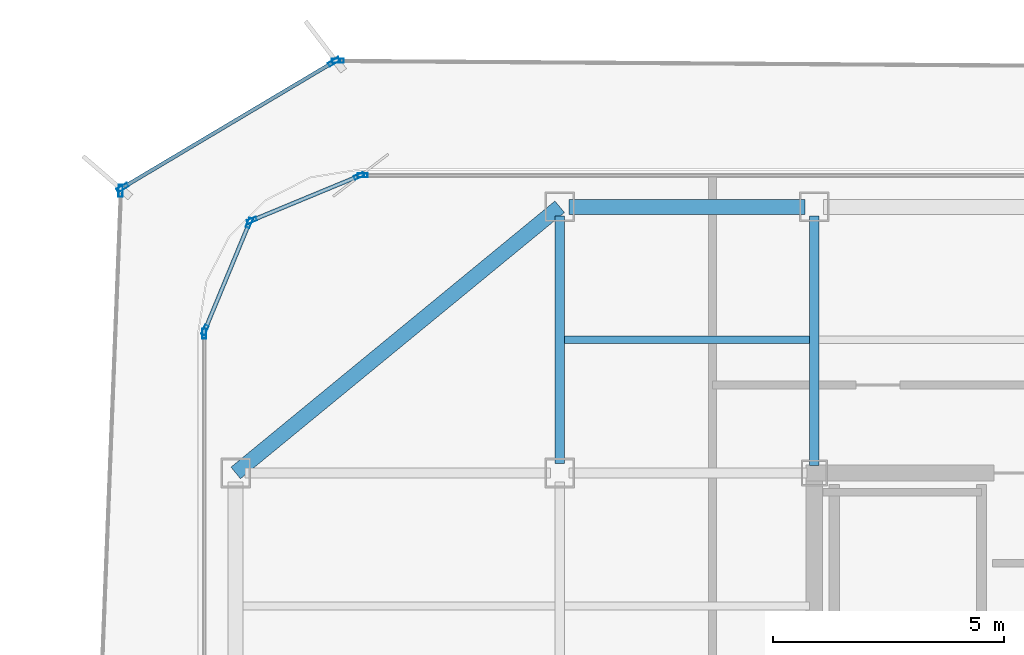
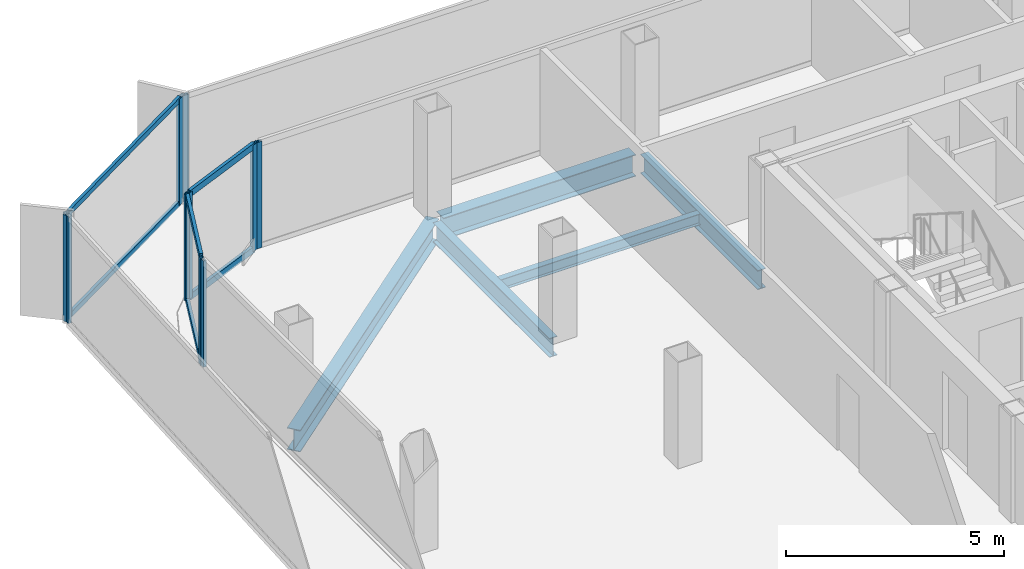
# One storey, part 6 of 15: 16 members, 5 beams, 7 elements without a shape of their own.
"""IFC4 building model written with IfcOpenShell, lengths in metres."""

from ifc_helpers import new_model, si_unit, direction, frame, origin, origin_2d, place, context, subcontext, project, spatial, hollow_rectangle, i_section, extrude, source, transform, mapped, material, layer, layer_set, material_profile, profile_set, type_object, element, aggregate, save


model = new_model("IFC4")

# Units and contexts
model_context = context("Model", 3, precision=1e-05, world=origin(), true_north=direction((0.0, 1.0)))
body_context = subcontext(model_context, "Body", "Model", "MODEL_VIEW")
ifc_project = project(units=[si_unit("LENGTHUNIT", "METRE"), si_unit("AREAUNIT", "SQUARE_METRE"), si_unit("VOLUMEUNIT", "CUBIC_METRE"), si_unit("PLANEANGLEUNIT", "RADIAN"), si_unit("MASSUNIT", "GRAM", prefix="KILO")], contexts=[model_context])

# Site, building, storey
site_placement = place(None, origin())
site = spatial("IfcSite", under=ifc_project, at=site_placement, CompositionType="ELEMENT")
building_placement = place(site_placement, origin())
building = spatial("IfcBuilding", under=site, at=building_placement, Name="Kolveth Station Tower", CompositionType="ELEMENT")
storey_placement = place(building_placement, frame((0.0, 0.0, 268.10009765625)))
storey = spatial("IfcBuildingStorey", under=building, at=storey_placement, Name="L77", CompositionType="ELEMENT", Elevation=268.10009765625)

# Beams
ifc_material_1 = material(Name="Steel S355", Category="steel")
ifc_material_profile_1 = material_profile(ifc_material_1, i_section(OverallWidth=0.323974609375, OverallDepth=0.611083984375, WebThickness=0.0126953125, FlangeThickness=0.01904296875, at=origin_2d()), Name="W610x155")
ifc_profile_set_1 = profile_set([ifc_material_profile_1], Name="Steel S355")
beam_type_1 = type_object("IfcBeamType", Name="Beam_SP2", PredefinedType="SPANDREL", material=ifc_profile_set_1)
shared_shape_1 = source(origin(), body_context, "Body", "SweptSolid", [
    extrude(i_section(OverallWidth=0.323974609375, OverallDepth=0.611083984375, WebThickness=0.0126953125, FlangeThickness=0.01904296875, at=origin_2d()), origin(), (0.0, 0.0, 1.0), 9.058837890625),
])
beam_1_placement = place(storey_placement, frame((13.0, 34.5, -0.525634765625), z_axis=(-0.772726254525, -0.63473942336, 0.0), x_axis=(0.63473942336, -0.772726254525, 0.0)))
element("IfcBeam", 1, at=beam_1_placement, inside=storey, type_object=beam_type_1, Name="L77 Corner Edge Girder BM-L77-CNR-NW", PredefinedType="SPANDREL", context=body_context, shape_type="MappedRepresentation", body=[
    mapped(shared_shape_1, transform((0.0, 0.0, 0.0), x_axis=(1.0, 0.0, 0.0), y_axis=(0.0, 1.0, 0.0), z_axis=(0.0, 0.0, 1.0), scale=1.0)),
])
shared_shape_2 = source(origin(), body_context, "Body", "SweptSolid", [
    extrude(i_section(OverallWidth=0.323974609375, OverallDepth=0.611083984375, WebThickness=0.0126953125, FlangeThickness=0.01904296875, at=origin_2d()), origin(), (0.0, 0.0, 1.0), 5.10009765625),
])
beam_2_placement = place(storey_placement, frame((13.199951171875, 34.5, -0.525634765625), z_axis=(1.0, 0.0, 0.0), x_axis=(0.0, 1.0, 0.0)))
element("IfcBeam", 2, at=beam_2_placement, inside=storey, type_object=beam_type_1, Name="L77 Perimeter Spandrel BM-L77-PN-1", PredefinedType="SPANDREL", context=body_context, shape_type="MappedRepresentation", body=[
    mapped(shared_shape_2, transform((0.0, 0.0, 0.0), x_axis=(1.0, 0.0, 0.0), y_axis=(0.0, 1.0, 0.0), z_axis=(0.0, 0.0, 1.0), scale=1.0)),
])
ifc_material_profile_2 = material_profile(ifc_material_1, i_section(OverallWidth=0.2099609375, OverallDepth=0.537109375, WebThickness=0.010986328125, FlangeThickness=0.017333984375, at=origin_2d()), Name="W530x101")
ifc_profile_set_2 = profile_set([ifc_material_profile_2], Name="Steel S355")
beam_type_2 = type_object("IfcBeamType", Name="Beam_B6", PredefinedType="BEAM", material=ifc_profile_set_2)
shared_shape_3 = source(origin(), body_context, "Body", "SweptSolid", [
    extrude(i_section(OverallWidth=0.2099609375, OverallDepth=0.537109375, WebThickness=0.010986328125, FlangeThickness=0.017333984375, at=origin_2d()), origin(), (0.0, 0.0, 1.0), 5.35009765625),
])
beam_3_placement = place(storey_placement, frame((13.0, 28.949951171875, -0.488525390625), z_axis=(0.0, 1.0, 0.0), x_axis=(-1.0, 0.0, 0.0)))
element("IfcBeam", 3, at=beam_3_placement, inside=storey, type_object=beam_type_2, Name="L77 Primary Girder BM-L77-GX130-6", PredefinedType="BEAM", context=body_context, shape_type="MappedRepresentation", body=[
    mapped(shared_shape_3, transform((0.0, 0.0, 0.0), x_axis=(1.0, 0.0, 0.0), y_axis=(0.0, 1.0, 0.0), z_axis=(0.0, 0.0, 1.0), scale=1.0)),
])
shared_shape_4 = source(origin(), body_context, "Body", "SweptSolid", [
    extrude(i_section(OverallWidth=0.2099609375, OverallDepth=0.537109375, WebThickness=0.010986328125, FlangeThickness=0.017333984375, at=origin_2d()), origin(), (0.0, 0.0, 1.0), 5.39013671875),
])
beam_4_placement = place(storey_placement, frame((18.5, 28.909912109375, -0.488525390625), z_axis=(0.0, 1.0, 0.0), x_axis=(-1.0, 0.0, 0.0)))
element("IfcBeam", 4, at=beam_4_placement, inside=storey, type_object=beam_type_2, Name="L77 Primary Girder BM-L77-GX185-6", PredefinedType="BEAM", context=body_context, shape_type="MappedRepresentation", body=[
    mapped(shared_shape_4, transform((0.0, 0.0, 0.0), x_axis=(1.0, 0.0, 0.0), y_axis=(0.0, 1.0, 0.0), z_axis=(0.0, 0.0, 1.0), scale=1.0)),
])
ifc_material_profile_3 = material_profile(ifc_material_1, i_section(OverallWidth=0.1650390625, OverallDepth=0.31005859375, WebThickness=0.005859375, FlangeThickness=0.009765625, at=origin_2d()), Name="W310x39")
ifc_profile_set_3 = profile_set([ifc_material_profile_3], Name="Steel S355")
beam_type_3 = type_object("IfcBeamType", Name="Beam_J3", PredefinedType="JOIST", material=ifc_profile_set_3)
shared_shape_5 = source(origin(), body_context, "Body", "SweptSolid", [
    extrude(i_section(OverallWidth=0.1650390625, OverallDepth=0.31005859375, WebThickness=0.005859375, FlangeThickness=0.009765625, at=origin_2d()), origin(), (0.0, 0.0, 1.0), 5.2939453125),
])
beam_5_placement = place(storey_placement, frame((13.10302734375, 31.625, -0.375), z_axis=(1.0, 0.0, 0.0), x_axis=(0.0, 1.0, 0.0)))
element("IfcBeam", 5, at=beam_5_placement, inside=storey, type_object=beam_type_3, Name="L77 Secondary Joist JST-L77-2-6", PredefinedType="JOIST", context=body_context, shape_type="MappedRepresentation", body=[
    mapped(shared_shape_5, transform((0.0, 0.0, 0.0), x_axis=(1.0, 0.0, 0.0), y_axis=(0.0, 1.0, 0.0), z_axis=(0.0, 0.0, 1.0), scale=1.0)),
])

# Curtain wall, member
ifc_material_2 = material(Name="Aluminium 6063-T6 and triple low-E dark glass", Category="aluminium")
ifc_layer_1 = layer(ifc_material_2, 0.199951171875)
ifc_layer_set_1 = layer_set([ifc_layer_1], Name="Aluminium 6063-T6 and triple low-E dark glass")
curtain_wall_type_1 = type_object("IfcCurtainWallType", Name="CurtainWall_CW-Z3", PredefinedType="NOTDEFINED", material=ifc_layer_set_1)
curtain_wall_1_placement = place(storey_placement, origin())
curtain_wall_1 = element("IfcCurtainWall", 6, at=curtain_wall_1_placement, inside=storey, type_object=curtain_wall_type_1, Name="L77 Inner Thermal Curtain Wall 6", PredefinedType="NOTDEFINED")
ifc_material_3 = material(Name="Black anodized aluminium 6063-T6", Category="aluminium")
ifc_material_profile_4 = material_profile(ifc_material_3, hollow_rectangle(XDim=0.0849609375, YDim=0.215087890625, WallThickness=0.0048828125, at=origin_2d()), Name="ALU-85x215x5")
ifc_profile_set_4 = profile_set([ifc_material_profile_4], Name="Black anodized aluminium 6063-T6")
member_type_1 = type_object("IfcMemberType", Name="Mullion_ML3", PredefinedType="MULLION", material=ifc_profile_set_4)
shared_shape_6 = source(origin(), body_context, "Body", "SweptSolid", [
    extrude(hollow_rectangle(XDim=0.0849609375, YDim=0.215087890625, WallThickness=0.0048828125, at=origin_2d()), origin(), (0.0, 0.0, 1.0), 2.97998046875),
])
member_1_placement = place(storey_placement, frame((8.742431640625, 35.179931640625, 0.0), z_axis=(0.0, 0.0, 1.0), x_axis=(0.0, -1.0, 0.0)))
member_1 = element("IfcMember", 7, at=member_1_placement, type_object=member_type_1, Name="CW-Z3 mullion 2", PredefinedType="MULLION", context=body_context, shape_type="MappedRepresentation", body=[
    mapped(shared_shape_6, transform((0.0, 0.0, 0.0), x_axis=(1.0, 0.0, 0.0), y_axis=(0.0, 1.0, 0.0), z_axis=(0.0, 0.0, 1.0), scale=1.0)),
])
aggregate(curtain_wall_1, [member_1])

# Curtain wall, members
curtain_wall_2_placement = place(storey_placement, origin())
curtain_wall_2 = element("IfcCurtainWall", 8, at=curtain_wall_2_placement, inside=storey, type_object=curtain_wall_type_1, Name="L77 Inner Thermal Curtain Wall 7", PredefinedType="NOTDEFINED")
member_2_placement = place(storey_placement, frame((8.66064453125, 35.163818359375, 0.0), z_axis=(0.0, 0.0, 1.0), x_axis=(0.382693194181, -0.923875488975, 0.0)))
member_2 = element("IfcMember", 9, at=member_2_placement, type_object=member_type_1, Name="CW-Z3 mullion 1", PredefinedType="MULLION", context=body_context, shape_type="MappedRepresentation", body=[
    mapped(shared_shape_6, transform((0.0, 0.0, 0.0), x_axis=(1.0, 0.0, 0.0), y_axis=(0.0, 1.0, 0.0), z_axis=(0.0, 0.0, 1.0), scale=1.0)),
])
member_3_placement = place(storey_placement, frame((6.349365234375, 34.206298828125, 0.0), z_axis=(0.0, 0.0, 1.0), x_axis=(0.382693194181, -0.923875488975, 0.0)))
member_3 = element("IfcMember", 10, at=member_3_placement, type_object=member_type_1, Name="CW-Z3 mullion 2", PredefinedType="MULLION", context=body_context, shape_type="MappedRepresentation", body=[
    mapped(shared_shape_6, transform((0.0, 0.0, 0.0), x_axis=(1.0, 0.0, 0.0), y_axis=(0.0, 1.0, 0.0), z_axis=(0.0, 0.0, 1.0), scale=1.0)),
])

curtain_wall_3_placement = place(storey_placement, origin())
curtain_wall_3 = element("IfcCurtainWall", 11, at=curtain_wall_3_placement, inside=storey, type_object=curtain_wall_type_1, Name="L77 Inner Thermal Curtain Wall 8", PredefinedType="NOTDEFINED")
member_4_placement = place(storey_placement, frame((6.293701171875, 34.150634765625, 0.0), z_axis=(0.0, 0.0, 1.0), x_axis=(0.923875488975, -0.382693194181, 0.0)))
member_4 = element("IfcMember", 12, at=member_4_placement, type_object=member_type_1, Name="CW-Z3 mullion 1", PredefinedType="MULLION", context=body_context, shape_type="MappedRepresentation", body=[
    mapped(shared_shape_6, transform((0.0, 0.0, 0.0), x_axis=(1.0, 0.0, 0.0), y_axis=(0.0, 1.0, 0.0), z_axis=(0.0, 0.0, 1.0), scale=1.0)),
])
member_5_placement = place(storey_placement, frame((5.336181640625, 31.83935546875, 0.0), z_axis=(0.0, 0.0, 1.0), x_axis=(0.923875488975, -0.382693194181, 0.0)))
member_5 = element("IfcMember", 13, at=member_5_placement, type_object=member_type_1, Name="CW-Z3 mullion 2", PredefinedType="MULLION", context=body_context, shape_type="MappedRepresentation", body=[
    mapped(shared_shape_6, transform((0.0, 0.0, 0.0), x_axis=(1.0, 0.0, 0.0), y_axis=(0.0, 1.0, 0.0), z_axis=(0.0, 0.0, 1.0), scale=1.0)),
])

# Curtain wall, member
curtain_wall_4_placement = place(storey_placement, origin())
curtain_wall_4 = element("IfcCurtainWall", 14, at=curtain_wall_4_placement, inside=storey, type_object=curtain_wall_type_1, Name="L77 Inner Thermal Curtain Wall 9", PredefinedType="NOTDEFINED")
member_6_placement = place(storey_placement, frame((5.320068359375, 31.757568359375, 0.0), z_axis=(0.0, 0.0, 1.0), x_axis=(1.0, 0.0, 0.0)))
member_6 = element("IfcMember", 15, at=member_6_placement, type_object=member_type_1, Name="CW-Z3 mullion 1", PredefinedType="MULLION", context=body_context, shape_type="MappedRepresentation", body=[
    mapped(shared_shape_6, transform((0.0, 0.0, 0.0), x_axis=(1.0, 0.0, 0.0), y_axis=(0.0, 1.0, 0.0), z_axis=(0.0, 0.0, 1.0), scale=1.0)),
])
aggregate(curtain_wall_4, [member_6])

# Member
ifc_material_profile_5 = material_profile(ifc_material_3, hollow_rectangle(XDim=0.0849609375, YDim=0.179931640625, WallThickness=0.0048828125, at=origin_2d()), Name="ALU-85x180x5")
ifc_profile_set_5 = profile_set([ifc_material_profile_5], Name="Black anodized aluminium 6063-T6")
member_type_2 = type_object("IfcMemberType", Name="Transom_TR3", PredefinedType="USERDEFINED", material=ifc_profile_set_5)
shared_shape_7 = source(origin(), body_context, "Body", "SweptSolid", [
    extrude(hollow_rectangle(XDim=0.0849609375, YDim=0.179931640625, WallThickness=0.0048828125, at=origin_2d()), origin(), (0.0, 0.0, 1.0), 2.417236328125),
])
member_7_placement = place(storey_placement, frame((8.62158203125, 35.1474609375, 0.04248046875), z_axis=(-0.923872799448, -0.382699687013, 0.0), x_axis=(0.382699687013, -0.923872799448, 0.0)))
member_7 = element("IfcMember", 16, at=member_7_placement, type_object=member_type_2, Name="CW-Z3 transom 1.1", ObjectType="TRANSOM", PredefinedType="USERDEFINED", context=body_context, shape_type="MappedRepresentation", body=[
    mapped(shared_shape_7, transform((0.0, 0.0, 0.0), x_axis=(1.0, 0.0, 0.0), y_axis=(0.0, 1.0, 0.0), z_axis=(0.0, 0.0, 1.0), scale=1.0)),
])

member_8_placement = place(storey_placement, frame((8.62158203125, 35.1474609375, 2.9375), z_axis=(-0.923872799448, -0.382699687013, 0.0), x_axis=(0.382699687013, -0.923872799448, 0.0)))
member_8 = element("IfcMember", 17, at=member_8_placement, type_object=member_type_2, Name="CW-Z3 transom 1.2", ObjectType="TRANSOM", PredefinedType="USERDEFINED", context=body_context, shape_type="MappedRepresentation", body=[
    mapped(shared_shape_7, transform((0.0, 0.0, 0.0), x_axis=(1.0, 0.0, 0.0), y_axis=(0.0, 1.0, 0.0), z_axis=(0.0, 0.0, 1.0), scale=1.0)),
])

aggregate(curtain_wall_2, [member_2, member_3, member_7, member_8])

member_9_placement = place(storey_placement, frame((6.277587890625, 34.111572265625, 0.04248046875), z_axis=(-0.382699687013, -0.923872799448, 0.0), x_axis=(0.923872799448, -0.382699687013, 0.0)))
member_9 = element("IfcMember", 18, at=member_9_placement, type_object=member_type_2, Name="CW-Z3 transom 1.1", ObjectType="TRANSOM", PredefinedType="USERDEFINED", context=body_context, shape_type="MappedRepresentation", body=[
    mapped(shared_shape_7, transform((0.0, 0.0, 0.0), x_axis=(1.0, 0.0, 0.0), y_axis=(0.0, 1.0, 0.0), z_axis=(0.0, 0.0, 1.0), scale=1.0)),
])

member_10_placement = place(storey_placement, frame((6.277587890625, 34.111572265625, 2.9375), z_axis=(-0.382699687013, -0.923872799448, 0.0), x_axis=(0.923872799448, -0.382699687013, 0.0)))
member_10 = element("IfcMember", 19, at=member_10_placement, type_object=member_type_2, Name="CW-Z3 transom 1.2", ObjectType="TRANSOM", PredefinedType="USERDEFINED", context=body_context, shape_type="MappedRepresentation", body=[
    mapped(shared_shape_7, transform((0.0, 0.0, 0.0), x_axis=(1.0, 0.0, 0.0), y_axis=(0.0, 1.0, 0.0), z_axis=(0.0, 0.0, 1.0), scale=1.0)),
])

aggregate(curtain_wall_3, [member_4, member_5, member_9, member_10])

# Curtain wall, members
ifc_material_4 = material(Name="Black anodized aluminium 6063-T6 and dark solar glass", Category="aluminium")
ifc_layer_2 = layer(ifc_material_4, 0.159912109375)
ifc_layer_set_2 = layer_set([ifc_layer_2], Name="Black anodized aluminium 6063-T6 and dark solar glass")
curtain_wall_type_2 = type_object("IfcCurtainWallType", Name="OUTER SKIN CW-OS", PredefinedType="NOTDEFINED", material=ifc_layer_set_2)
curtain_wall_5_placement = place(storey_placement, origin())
curtain_wall_5 = element("IfcCurtainWall", 20, at=curtain_wall_5_placement, inside=storey, type_object=curtain_wall_type_2, Name="L77 Outer Ventilated Skin Curtain Wall 5", PredefinedType="NOTDEFINED")
ifc_material_profile_6 = material_profile(ifc_material_3, hollow_rectangle(XDim=0.080078125, YDim=0.14990234375, WallThickness=0.0048828125, at=origin_2d()), Name="ALU-80x150x5")
ifc_profile_set_6 = profile_set([ifc_material_profile_6], Name="Black anodized aluminium 6063-T6")
member_type_3 = type_object("IfcMemberType", Name="Transom_TR-OS", PredefinedType="USERDEFINED", material=ifc_profile_set_6)
shared_shape_8 = source(origin(), body_context, "Body", "SweptSolid", [
    extrude(hollow_rectangle(XDim=0.080078125, YDim=0.14990234375, WallThickness=0.0048828125, at=origin_2d()), origin(), (0.0, 0.0, 1.0), 5.227294921875),
])
member_11_placement = place(storey_placement, frame((8.085693359375, 37.609375, 0.039794921875), z_axis=(-0.859296794472, -0.511477290807, 0.0), x_axis=(0.511477290807, -0.859296794472, 0.0)))
member_11 = element("IfcMember", 21, at=member_11_placement, type_object=member_type_3, Name="CW-OS transom 1.1", ObjectType="TRANSOM", PredefinedType="USERDEFINED", context=body_context, shape_type="MappedRepresentation", body=[
    mapped(shared_shape_8, transform((0.0, 0.0, 0.0), x_axis=(1.0, 0.0, 0.0), y_axis=(0.0, 1.0, 0.0), z_axis=(0.0, 0.0, 1.0), scale=1.0)),
])
member_12_placement = place(storey_placement, frame((8.085693359375, 37.609375, 2.93994140625), z_axis=(-0.859296794472, -0.511477290807, 0.0), x_axis=(0.511477290807, -0.859296794472, 0.0)))
member_12 = element("IfcMember", 22, at=member_12_placement, type_object=member_type_3, Name="CW-OS transom 1.2", ObjectType="TRANSOM", PredefinedType="USERDEFINED", context=body_context, shape_type="MappedRepresentation", body=[
    mapped(shared_shape_8, transform((0.0, 0.0, 0.0), x_axis=(1.0, 0.0, 0.0), y_axis=(0.0, 1.0, 0.0), z_axis=(0.0, 0.0, 1.0), scale=1.0)),
])

# Curtain wall, member
curtain_wall_6_placement = place(storey_placement, origin())
curtain_wall_6 = element("IfcCurtainWall", 23, at=curtain_wall_6_placement, inside=storey, type_object=curtain_wall_type_2, Name="L77 Outer Ventilated Skin Curtain Wall 4", PredefinedType="NOTDEFINED")
ifc_material_profile_7 = material_profile(ifc_material_3, hollow_rectangle(XDim=0.090087890625, YDim=0.260009765625, WallThickness=0.0048828125, at=origin_2d()), Name="ALU-90x260x5")
ifc_profile_set_7 = profile_set([ifc_material_profile_7], Name="Black anodized aluminium 6063-T6")
member_type_4 = type_object("IfcMemberType", Name="FIN MULLION ML-OS", PredefinedType="MULLION", material=ifc_profile_set_7)
shared_shape_9 = source(origin(), body_context, "Body", "SweptSolid", [
    extrude(hollow_rectangle(XDim=0.090087890625, YDim=0.260009765625, WallThickness=0.0048828125, at=origin_2d()), origin(), (0.0, 0.0, 1.0), 2.97998046875),
])
member_13_placement = place(storey_placement, frame((8.2080078125, 37.655029296875, 0.0), z_axis=(0.0, 0.0, 1.0), x_axis=(-0.006677203964, -0.999977707225, 0.0)))
member_13 = element("IfcMember", 24, at=member_13_placement, type_object=member_type_4, Name="CW-OS mullion 2", PredefinedType="MULLION", context=body_context, shape_type="MappedRepresentation", body=[
    mapped(shared_shape_9, transform((0.0, 0.0, 0.0), x_axis=(1.0, 0.0, 0.0), y_axis=(0.0, 1.0, 0.0), z_axis=(0.0, 0.0, 1.0), scale=1.0)),
])
aggregate(curtain_wall_6, [member_13])

# Member
member_14_placement = place(storey_placement, frame((8.12451171875, 37.63232421875, 0.0), z_axis=(0.0, 0.0, 1.0), x_axis=(0.51145459713, -0.859310301972, 0.0)))
member_14 = element("IfcMember", 25, at=member_14_placement, type_object=member_type_4, Name="CW-OS mullion 1", PredefinedType="MULLION", context=body_context, shape_type="MappedRepresentation", body=[
    mapped(shared_shape_9, transform((0.0, 0.0, 0.0), x_axis=(1.0, 0.0, 0.0), y_axis=(0.0, 1.0, 0.0), z_axis=(0.0, 0.0, 1.0), scale=1.0)),
])

member_15_placement = place(storey_placement, frame((3.555419921875, 34.912841796875, 0.0), z_axis=(0.0, 0.0, 1.0), x_axis=(0.51145459713, -0.859310301972, 0.0)))
member_15 = element("IfcMember", 26, at=member_15_placement, type_object=member_type_4, Name="CW-OS mullion 2", PredefinedType="MULLION", context=body_context, shape_type="MappedRepresentation", body=[
    mapped(shared_shape_9, transform((0.0, 0.0, 0.0), x_axis=(1.0, 0.0, 0.0), y_axis=(0.0, 1.0, 0.0), z_axis=(0.0, 0.0, 1.0), scale=1.0)),
])

aggregate(curtain_wall_5, [member_14, member_15, member_11, member_12])

# Curtain wall, member
curtain_wall_7_placement = place(storey_placement, origin())
curtain_wall_7 = element("IfcCurtainWall", 27, at=curtain_wall_7_placement, inside=storey, type_object=curtain_wall_type_2, Name="L77 Outer Ventilated Skin Curtain Wall 6", PredefinedType="NOTDEFINED")
member_16_placement = place(storey_placement, frame((3.514892578125, 34.8447265625, 0.0), z_axis=(0.0, 0.0, 1.0), x_axis=(0.999214682363, -0.039623459591, 0.0)))
member_16 = element("IfcMember", 28, at=member_16_placement, type_object=member_type_4, Name="CW-OS mullion 1", PredefinedType="MULLION", context=body_context, shape_type="MappedRepresentation", body=[
    mapped(shared_shape_9, transform((0.0, 0.0, 0.0), x_axis=(1.0, 0.0, 0.0), y_axis=(0.0, 1.0, 0.0), z_axis=(0.0, 0.0, 1.0), scale=1.0)),
])
aggregate(curtain_wall_7, [member_16])

save(model, "model.ifc")
